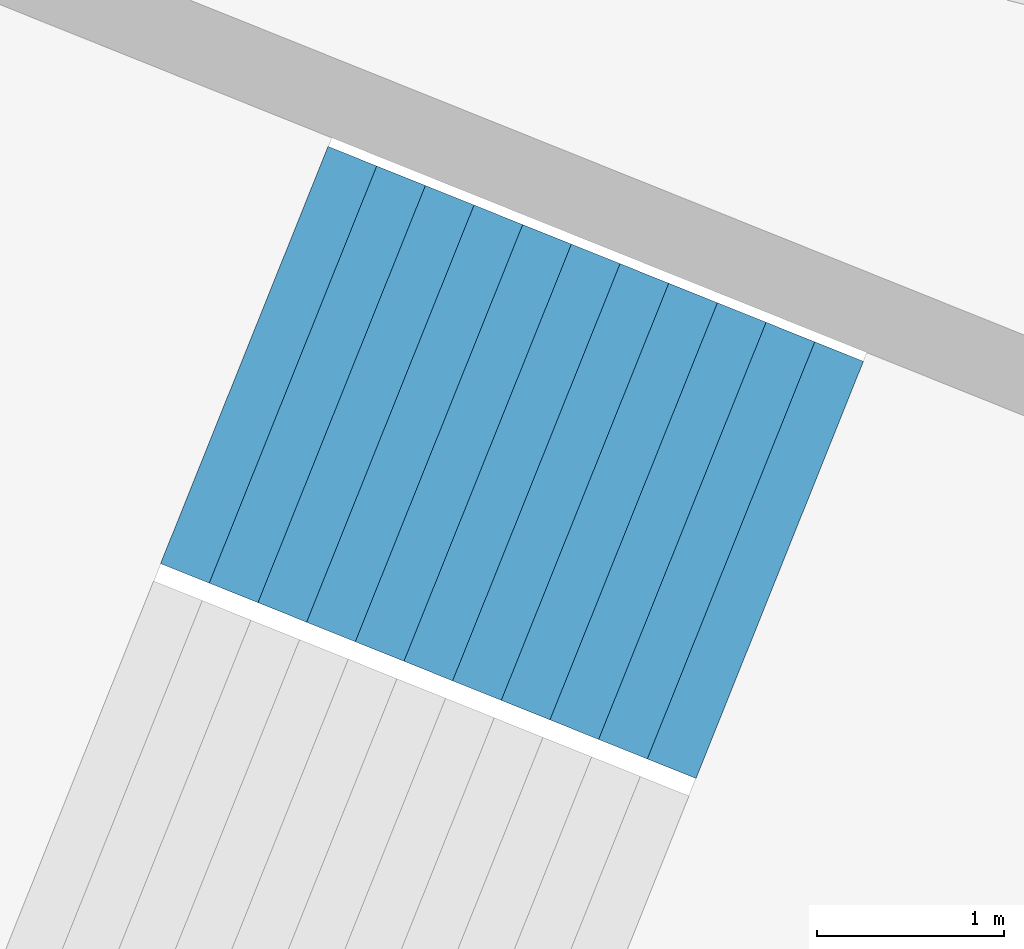
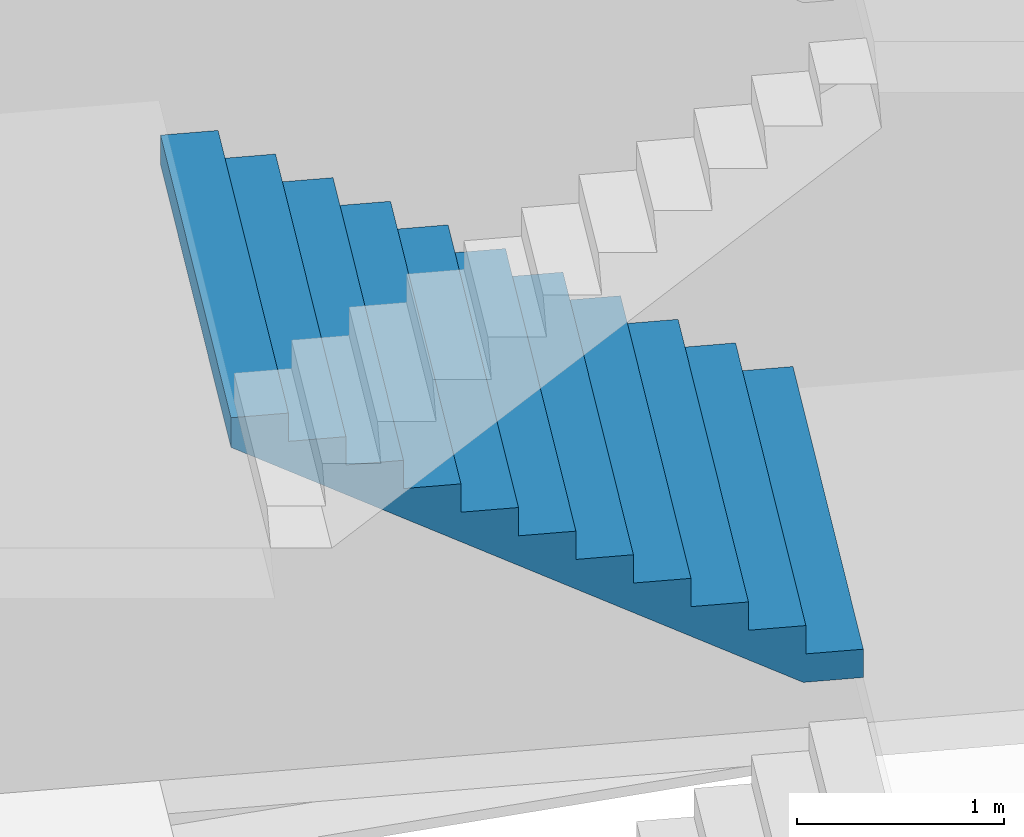
# One storey, part 52 of 74: 1 stair flight, 1 element without a shape of its own.
"""IFC4 building model written with IfcOpenShell, lengths in metres."""

import ifcopenshell
import ifcopenshell.guid

model = None  # the IFC model being written
_history = None  # IfcOwnerHistory: only IFC2X3 demands one
_inside = {}  # id of a spatial element -> (the spatial element, [elements in it])
_under = {}  # id of a project, library or spatial element -> (it, [spatial elements below it])
_declared = {}  # id of a project -> (the project, [libraries it declares])
_typed = {}  # id of a type object -> (the type object, [elements of that type])
_made_of = {}  # id of a material, layer set ... -> (it, [elements and type objects made of it])


def new_model(schema):
    """Start an empty IFC model of exactly this schema.

    Asked for "IFC4X3", IfcOpenShell would pick the latest addendum, in which some entities
    have other attributes; the version numbers below select the first issue.
    IFC2X3 requires an IfcOwnerHistory on every rooted entity: one is made here for all.
    """
    global model, _history
    if schema == "IFC4X3":
        model = ifcopenshell.file(schema_version=(4, 3, 0, 0))
    else:
        model = ifcopenshell.file(schema=schema)
    _inside.clear()
    _under.clear()
    _declared.clear()
    _typed.clear()
    _made_of.clear()
    _history = None
    if model.schema == "IFC2X3":
        org = make("IfcOrganization", Name="unknown")
        user = make(
            "IfcPersonAndOrganization",
            ThePerson=make("IfcPerson", FamilyName="unknown"),
            TheOrganization=org,
        )
        app = make(
            "IfcApplication",
            ApplicationDeveloper=org,
            Version="unknown",
            ApplicationFullName="unknown",
            ApplicationIdentifier="unknown",
        )
        _history = make(
            "IfcOwnerHistory",
            OwningUser=user,
            OwningApplication=app,
            ChangeAction="ADDED",
            CreationDate=0,
        )
    return model


def make(cls, **values):
    """One entity of the class cls with the attributes given. An attribute that is None is left unset."""
    return model.create_entity(
        cls, **{name: value for name, value in values.items() if value is not None}
    )


def rooted(cls, **values):
    """An entity with a GlobalId (a new one), such as an element, a storey or a relation."""
    return make(cls, GlobalId=ifcopenshell.guid.new(), OwnerHistory=_history, **values)


def si_unit(unit_type, name, prefix=None):
    """IfcSIUnit, for example si_unit("LENGTHUNIT", "METRE", prefix="MILLI")."""
    return make("IfcSIUnit", UnitType=unit_type, Prefix=prefix, Name=name)


def assignment(units):
    """IfcUnitAssignment: the units of a project."""
    return None if units is None else make("IfcUnitAssignment", Units=units)


def point(xyz):
    """IfcCartesianPoint."""
    return None if xyz is None else make("IfcCartesianPoint", Coordinates=xyz)


def direction(xyz):
    """IfcDirection."""
    return None if xyz is None else make("IfcDirection", DirectionRatios=xyz)


def frame(location, z_axis=None, x_axis=None):
    """IfcAxis2Placement3D, a coordinate frame: its origin and axes. An axis left out is left unset."""
    return make(
        "IfcAxis2Placement3D",
        Location=point(location),
        Axis=direction(z_axis),
        RefDirection=direction(x_axis),
    )


def origin():
    """The frame at (0, 0, 0) with its axes left unset."""
    return frame((0.0, 0.0, 0.0))


def place(relative_to, where):
    """IfcLocalPlacement: puts the frame where relative to a parent placement (None: the world)."""
    return make(
        "IfcLocalPlacement", PlacementRelTo=relative_to, RelativePlacement=where
    )


def context(
    kind, dimensions, precision=None, world=None, true_north=None, identifier=None
):
    """IfcGeometricRepresentationContext, for example the 3D "Model" context."""
    return make(
        "IfcGeometricRepresentationContext",
        ContextIdentifier=identifier,
        ContextType=kind,
        CoordinateSpaceDimension=dimensions,
        Precision=precision,
        WorldCoordinateSystem=world,
        TrueNorth=true_north,
    )


def subcontext(parent, identifier, kind, view, scale=None):
    """IfcGeometricRepresentationSubContext, for example "Body" below "Model"."""
    return make(
        "IfcGeometricRepresentationSubContext",
        ContextIdentifier=identifier,
        ContextType=kind,
        ParentContext=parent,
        TargetScale=scale,
        TargetView=view,
    )


def project(units=None, contexts=None):
    """IfcProject with its units and contexts."""
    return rooted(
        "IfcProject",
        Name="project",
        RepresentationContexts=contexts,
        UnitsInContext=assignment(units),
    )


def spatial(cls, under=None, at=None, **own):
    """A site, building, storey or space (cls), placed at a placement, below another one or the project."""
    s = rooted(cls, ObjectPlacement=at, **own)
    if under is not None:
        _under.setdefault(under.id(), (under, []))[1].append(s)
    return s


def point_list(points):
    """IfcCartesianPointList2D or 3D."""
    cls = (
        "IfcCartesianPointList2D" if len(points[0]) == 2 else "IfcCartesianPointList3D"
    )
    return make(cls, CoordList=points)


def triangles(points, corners, closed=None, point_numbers=None):
    """IfcTriangulatedFaceSet: each triangle names its three corners, points numbered from 1."""
    return make(
        "IfcTriangulatedFaceSet",
        Coordinates=point_list(points),
        Closed=closed,
        CoordIndex=corners,
        PnIndex=point_numbers,
    )


def shape(context_of_items, identifier, shape_type, items):
    """IfcShapeRepresentation: the items that make up one representation, for example the "Body"."""
    return make(
        "IfcShapeRepresentation",
        ContextOfItems=context_of_items,
        RepresentationIdentifier=identifier,
        RepresentationType=shape_type,
        Items=items,
    )


def material(Name=None, Category=None):
    """IfcMaterial."""
    return make("IfcMaterial", Name=Name, Category=Category)


def made_of(thing, what):
    """Note that an element or type object is made of a material, layer set ...; save() writes the relation."""
    if what is not None:
        _made_of.setdefault(what.id(), (what, []))[1].append(thing)
    return thing


def type_object(cls, material=None, **own):
    """A type object (cls), such as IfcWallType, which elements share."""
    return made_of(rooted(cls, **own), material)


def element(
    cls,
    number,
    at=None,
    inside=None,
    cuts=None,
    type_object=None,
    material=None,
    context=None,
    identifier="Body",
    shape_type=None,
    held_by="IfcProductDefinitionShape",
    body=None,
    shapes=None,
    **own,
):
    """One element of the class cls, such as IfcWall. Its Tag is "e" and its number.

    at: its placement. inside: the storey or other place that contains it. cuts: it is an
    opening in that element (IfcRelVoidsElement). A single representation is given by context,
    identifier, shape_type and body (its items); several are given by shapes. held_by: the class
    of the entity that holds the representations. save() writes the other relations.
    """
    e = rooted(cls, Tag="e%d" % number, ObjectPlacement=at, **own)
    if body is not None:
        shapes = [shape(context, identifier, shape_type, body)]
    if shapes is not None:
        e.Representation = make(held_by, Representations=shapes)
    if inside is not None:
        _inside.setdefault(inside.id(), (inside, []))[1].append(e)
    if cuts is not None:
        rooted(
            "IfcRelVoidsElement", RelatingBuildingElement=cuts, RelatedOpeningElement=e
        )
    if type_object is not None:
        _typed.setdefault(type_object.id(), (type_object, []))[1].append(e)
    return made_of(e, material)


def aggregate(whole, parts):
    """IfcRelAggregates: a whole, such as a stair, and the parts it consists of."""
    return rooted("IfcRelAggregates", RelatingObject=whole, RelatedObjects=parts)


def save(model, path):
    """Write the relations noted so far, then the file.

    IfcRelAggregates (storeys below a building ...), IfcRelContainedInSpatialStructure (elements
    in a storey), IfcRelDefinesByType, IfcRelAssociatesMaterial and IfcRelDeclares: one each for
    every whole, place, type object, material and project.
    """
    for whole, parts in _under.values():
        aggregate(whole, parts)
    for where, things in _inside.values():
        rooted(
            "IfcRelContainedInSpatialStructure",
            RelatedElements=things,
            RelatingStructure=where,
        )
    for kind, things in _typed.values():
        rooted("IfcRelDefinesByType", RelatedObjects=things, RelatingType=kind)
    for what, things in _made_of.values():
        rooted("IfcRelAssociatesMaterial", RelatedObjects=things, RelatingMaterial=what)
    for by, libraries in _declared.values():
        rooted("IfcRelDeclares", RelatingContext=by, RelatedDefinitions=libraries)
    model.write(path)


model = new_model("IFC4")

# Units and contexts
model_context = context("Model", 3, precision=1e-05, world=origin(), true_north=direction((0.0, 1.0)))
body_context = subcontext(model_context, "Body", "Model", "MODEL_VIEW")
ifc_project = project(units=[si_unit("LENGTHUNIT", "METRE"), si_unit("AREAUNIT", "SQUARE_METRE"), si_unit("VOLUMEUNIT", "CUBIC_METRE"), si_unit("PLANEANGLEUNIT", "RADIAN"), si_unit("MASSUNIT", "GRAM", prefix="KILO")], contexts=[model_context])

# Site, building, storey
site_placement = place(None, origin())
site = spatial("IfcSite", under=ifc_project, at=site_placement, CompositionType="ELEMENT")
building_placement = place(site_placement, origin())
building = spatial("IfcBuilding", under=site, at=building_placement, Name="Lantaw Convention Tower", CompositionType="ELEMENT")
storey_placement = place(building_placement, frame((0.0, 0.0, 6.5)))
storey = spatial("IfcBuildingStorey", under=building, at=storey_placement, Name="L01", CompositionType="ELEMENT", Elevation=6.5)

# Stair, stair flight
ifc_material = material(Name="Concrete C35/45", Category="concrete")
stair_type = type_object("IfcStairType", Name="Exit stair 2400 riser 166.67 in 4 flights", PredefinedType="HALF_TURN_STAIR", material=ifc_material)
stair_placement = place(storey_placement, origin())
stair = element("IfcStair", 1, at=stair_placement, inside=storey, type_object=stair_type, Name="Podium exit stair P12 L01", PredefinedType="HALF_TURN_STAIR")
stair_flight_type = type_object("IfcStairFlightType", Name="Stair flight 2400 riser 166.67", PredefinedType="STRAIGHT", material=ifc_material)
stair_flight_placement = place(storey_placement, frame((32.8759765625, -11.850830078125, 2.0), z_axis=(0.0, 0.0, 1.0), x_axis=(-0.928015818512, 0.372540790506, 0.0)))
stair_flight = element("IfcStairFlight", 2, at=stair_flight_placement, type_object=stair_flight_type, Name="P12 flight 2", NumberOfRisers=12, NumberOfTreads=11, PredefinedType="STRAIGHT", RiserHeight=0.166666667, TreadLength=0.28, context=body_context, shape_type="Tessellation", body=[
    triangles([(0.0, 1.199951171875, 0.0), (0.0, 1.199951171875, 0.166666667), (0.28, 1.199951171875, 0.0), (0.28, 1.199951171875, 0.166666667), (0.28, 1.199951171875, 0.333333334), (0.29307345806906726, 1.199951171875, 0.0), (0.29307345806906726, 1.199951171875, 0.333333334), (0.56, 1.199951171875, 0.15888484670522965), (0.56, 1.199951171875, 0.333333334), (0.56, 1.199951171875, 0.500000001), (0.8400000000000001, 1.199951171875, 0.3255515137052296), (0.8400000000000001, 1.199951171875, 0.500000001), (0.8400000000000001, 1.199951171875, 0.666666668), (1.12, 1.199951171875, 0.4922181807052296), (1.12, 1.199951171875, 0.666666668), (1.12, 1.199951171875, 0.833333335), (1.4000000000000001, 1.199951171875, 0.6588848477052296), (1.4000000000000001, 1.199951171875, 0.833333335), (1.4000000000000001, 1.199951171875, 1.000000002), (1.6800000000000002, 1.199951171875, 0.8255515147052296), (1.6800000000000002, 1.199951171875, 1.000000002), (1.6800000000000002, 1.199951171875, 1.166666669), (1.9600000000000002, 1.199951171875, 0.9922181817052296), (1.9600000000000002, 1.199951171875, 1.166666669), (1.9600000000000002, 1.199951171875, 1.333333336), (2.24, 1.199951171875, 1.1588848487052295), (2.24, 1.199951171875, 1.333333336), (2.24, 1.199951171875, 1.5000000029999998), (2.5200000000000005, 1.199951171875, 1.3255515157052296), (2.5200000000000005, 1.199951171875, 1.5000000029999998), (2.5200000000000005, 1.199951171875, 1.66666667), (2.8000000000000003, 1.199951171875, 1.4922181827052294), (2.8000000000000003, 1.199951171875, 1.66666667), (2.8000000000000003, 1.199951171875, 1.833333337), (3.08, 1.199951171875, 1.6588848497052293), (3.08, 1.199951171875, 1.833333337), (0.0, -1.199951171875, 0.0), (0.0, -1.199951171875, 0.166666667), (0.28, -1.199951171875, 0.0), (0.28, -1.199951171875, 0.166666667), (0.28, -1.199951171875, 0.333333334), (0.29307345806906726, -1.199951171875, 0.0), (0.29307345806906726, -1.199951171875, 0.333333334), (0.56, -1.199951171875, 0.15888484670522965), (0.56, -1.199951171875, 0.333333334), (0.56, -1.199951171875, 0.500000001), (0.8400000000000001, -1.199951171875, 0.3255515137052296), (0.8400000000000001, -1.199951171875, 0.500000001), (0.8400000000000001, -1.199951171875, 0.666666668), (1.12, -1.199951171875, 0.4922181807052296), (1.12, -1.199951171875, 0.666666668), (1.12, -1.199951171875, 0.833333335), (1.4000000000000001, -1.199951171875, 0.6588848477052296), (1.4000000000000001, -1.199951171875, 0.833333335), (1.4000000000000001, -1.199951171875, 1.000000002), (1.6800000000000002, -1.199951171875, 0.8255515147052296), (1.6800000000000002, -1.199951171875, 1.000000002), (1.6800000000000002, -1.199951171875, 1.166666669), (1.9600000000000002, -1.199951171875, 0.9922181817052296), (1.9600000000000002, -1.199951171875, 1.166666669), (1.9600000000000002, -1.199951171875, 1.333333336), (2.24, -1.199951171875, 1.1588848487052295), (2.24, -1.199951171875, 1.333333336), (2.24, -1.199951171875, 1.5000000029999998), (2.5200000000000005, -1.199951171875, 1.3255515157052296), (2.5200000000000005, -1.199951171875, 1.5000000029999998), (2.5200000000000005, -1.199951171875, 1.66666667), (2.8000000000000003, -1.199951171875, 1.4922181827052294), (2.8000000000000003, -1.199951171875, 1.66666667), (2.8000000000000003, -1.199951171875, 1.833333337), (3.08, -1.199951171875, 1.6588848497052293), (3.08, -1.199951171875, 1.833333337), (0.0, 0.239990234375, 0.166666667), (0.0, 0.239990234375, 0.0), (0.0, 0.1199951171875, 0.166666667), (0.0, 0.1199951171875, 0.0), (0.0, 0.0, 0.166666667), (0.0, 0.0, 0.0), (0.0, -0.1199951171875, 0.166666667), (0.0, -0.1199951171875, 0.0), (0.0, -0.239990234375, 0.166666667), (0.0, -0.239990234375, 0.0), (0.28, 0.239990234375, 0.333333334), (0.28, 0.239990234375, 0.166666667), (0.28, 0.1199951171875, 0.333333334), (0.28, 0.1199951171875, 0.166666667), (0.28, 0.0, 0.333333334), (0.28, 0.0, 0.166666667), (0.28, -0.1199951171875, 0.333333334), (0.28, -0.1199951171875, 0.166666667), (0.28, -0.239990234375, 0.333333334), (0.28, -0.239990234375, 0.166666667), (0.56, 0.239990234375, 0.500000001), (0.56, 0.239990234375, 0.333333334), (0.56, 0.1199951171875, 0.500000001), (0.56, 0.1199951171875, 0.333333334), (0.56, 0.0, 0.500000001), (0.56, 0.0, 0.333333334), (0.56, -0.1199951171875, 0.500000001), (0.56, -0.1199951171875, 0.333333334), (0.56, -0.239990234375, 0.500000001), (0.56, -0.239990234375, 0.333333334), (0.8400000000000001, 0.239990234375, 0.666666668), (0.8400000000000001, 0.239990234375, 0.500000001), (0.8400000000000001, 0.1199951171875, 0.666666668), (0.8400000000000001, 0.1199951171875, 0.500000001), (0.8400000000000001, 0.0, 0.666666668), (0.8400000000000001, 0.0, 0.500000001), (0.8400000000000001, -0.1199951171875, 0.666666668), (0.8400000000000001, -0.1199951171875, 0.500000001), (0.8400000000000001, -0.239990234375, 0.666666668), (0.8400000000000001, -0.239990234375, 0.500000001), (1.12, 0.239990234375, 0.833333335), (1.12, 0.239990234375, 0.666666668), (1.12, 0.1199951171875, 0.833333335), (1.12, 0.1199951171875, 0.666666668), (1.12, 0.0, 0.833333335), (1.12, 0.0, 0.666666668), (1.12, -0.1199951171875, 0.833333335), (1.12, -0.1199951171875, 0.666666668), (1.12, -0.239990234375, 0.833333335), (1.12, -0.239990234375, 0.666666668), (1.4000000000000001, 0.239990234375, 1.000000002), (1.4000000000000001, 0.239990234375, 0.833333335), (1.4000000000000001, 0.1199951171875, 1.000000002), (1.4000000000000001, 0.1199951171875, 0.833333335), (1.4000000000000001, 0.0, 1.000000002), (1.4000000000000001, 0.0, 0.833333335), (1.4000000000000001, -0.1199951171875, 1.000000002), (1.4000000000000001, -0.1199951171875, 0.833333335), (1.4000000000000001, -0.239990234375, 1.000000002), (1.4000000000000001, -0.239990234375, 0.833333335), (1.6800000000000002, 0.239990234375, 1.166666669), (1.6800000000000002, 0.239990234375, 1.000000002), (1.6800000000000002, 0.1199951171875, 1.166666669), (1.6800000000000002, 0.1199951171875, 1.000000002), (1.6800000000000002, 0.0, 1.166666669), (1.6800000000000002, 0.0, 1.000000002), (1.6800000000000002, -0.1199951171875, 1.166666669), (1.6800000000000002, -0.1199951171875, 1.000000002), (1.6800000000000002, -0.239990234375, 1.166666669), (1.6800000000000002, -0.239990234375, 1.000000002), (1.9600000000000002, 0.239990234375, 1.333333336), (1.9600000000000002, 0.239990234375, 1.166666669), (1.9600000000000002, 0.1199951171875, 1.333333336), (1.9600000000000002, 0.1199951171875, 1.166666669), (1.9600000000000002, 0.0, 1.333333336), (1.9600000000000002, 0.0, 1.166666669), (1.9600000000000002, -0.1199951171875, 1.333333336), (1.9600000000000002, -0.1199951171875, 1.166666669), (1.9600000000000002, -0.239990234375, 1.333333336), (1.9600000000000002, -0.239990234375, 1.166666669), (2.24, 0.239990234375, 1.5000000029999998), (2.24, 0.239990234375, 1.333333336), (2.24, 0.1199951171875, 1.5000000029999998), (2.24, 0.1199951171875, 1.333333336), (2.24, 0.0, 1.5000000029999998), (2.24, 0.0, 1.333333336), (2.24, -0.1199951171875, 1.5000000029999998), (2.24, -0.1199951171875, 1.333333336), (2.24, -0.239990234375, 1.5000000029999998), (2.24, -0.239990234375, 1.333333336), (2.5200000000000005, 0.239990234375, 1.66666667), (2.5200000000000005, 0.239990234375, 1.5000000029999998), (2.5200000000000005, 0.1199951171875, 1.66666667), (2.5200000000000005, 0.1199951171875, 1.5000000029999998), (2.5200000000000005, 0.0, 1.66666667), (2.5200000000000005, 0.0, 1.5000000029999998), (2.5200000000000005, -0.1199951171875, 1.66666667), (2.5200000000000005, -0.1199951171875, 1.5000000029999998), (2.5200000000000005, -0.239990234375, 1.66666667), (2.5200000000000005, -0.239990234375, 1.5000000029999998), (2.8000000000000003, 0.239990234375, 1.833333337), (2.8000000000000003, 0.239990234375, 1.66666667), (2.8000000000000003, 0.1199951171875, 1.833333337), (2.8000000000000003, 0.1199951171875, 1.66666667), (2.8000000000000003, 0.0, 1.833333337), (2.8000000000000003, 0.0, 1.66666667), (2.8000000000000003, -0.1199951171875, 1.833333337), (2.8000000000000003, -0.1199951171875, 1.66666667), (2.8000000000000003, -0.239990234375, 1.833333337), (2.8000000000000003, -0.239990234375, 1.66666667), (0.29307345806906726, 0.239990234375, 0.333333334), (0.29307345806906726, 0.1199951171875, 0.333333334), (0.29307345806906726, 0.0, 0.333333334), (0.29307345806906726, -0.1199951171875, 0.333333334), (0.29307345806906726, -0.239990234375, 0.333333334), (3.08, 0.239990234375, 1.833333337), (3.08, 0.1199951171875, 1.833333337), (3.08, 0.0, 1.833333337), (3.08, -0.1199951171875, 1.833333337), (3.08, -0.239990234375, 1.833333337), (3.08, 0.239990234375, 1.6588848497052293), (3.08, 0.1199951171875, 1.6588848497052293), (3.08, 0.0, 1.6588848497052293), (3.08, -0.1199951171875, 1.6588848497052293), (3.08, -0.239990234375, 1.6588848497052293), (2.8000000000000003, 0.239990234375, 1.4922181827052294), (2.8000000000000003, 0.1199951171875, 1.4922181827052294), (2.8000000000000003, 0.0, 1.4922181827052294), (2.8000000000000003, -0.1199951171875, 1.4922181827052294), (2.8000000000000003, -0.239990234375, 1.4922181827052294), (2.5200000000000005, 0.239990234375, 1.3255515157052296), (2.5200000000000005, 0.1199951171875, 1.3255515157052296), (2.5200000000000005, 0.0, 1.3255515157052296), (2.5200000000000005, -0.1199951171875, 1.3255515157052296), (2.5200000000000005, -0.239990234375, 1.3255515157052296), (2.24, 0.239990234375, 1.1588848487052295), (2.24, 0.1199951171875, 1.1588848487052295), (2.24, 0.0, 1.1588848487052295), (2.24, -0.1199951171875, 1.1588848487052295), (2.24, -0.239990234375, 1.1588848487052295), (1.9600000000000002, 0.239990234375, 0.9922181817052296), (1.9600000000000002, 0.1199951171875, 0.9922181817052296), (1.9600000000000002, 0.0, 0.9922181817052296), (1.9600000000000002, -0.1199951171875, 0.9922181817052296), (1.9600000000000002, -0.239990234375, 0.9922181817052296), (1.6800000000000002, 0.239990234375, 0.8255515147052296), (1.6800000000000002, 0.1199951171875, 0.8255515147052296), (1.6800000000000002, 0.0, 0.8255515147052296), (1.6800000000000002, -0.1199951171875, 0.8255515147052296), (1.6800000000000002, -0.239990234375, 0.8255515147052296), (1.4000000000000001, 0.239990234375, 0.6588848477052296), (1.4000000000000001, 0.1199951171875, 0.6588848477052296), (1.4000000000000001, 0.0, 0.6588848477052296), (1.4000000000000001, -0.1199951171875, 0.6588848477052296), (1.4000000000000001, -0.239990234375, 0.6588848477052296), (1.12, 0.239990234375, 0.4922181807052296), (1.12, 0.1199951171875, 0.4922181807052296), (1.12, 0.0, 0.4922181807052296), (1.12, -0.1199951171875, 0.4922181807052296), (1.12, -0.239990234375, 0.4922181807052296), (0.8400000000000001, 0.239990234375, 0.3255515137052296), (0.8400000000000001, 0.1199951171875, 0.3255515137052296), (0.8400000000000001, 0.0, 0.3255515137052296), (0.8400000000000001, -0.1199951171875, 0.3255515137052296), (0.8400000000000001, -0.239990234375, 0.3255515137052296), (0.56, 0.239990234375, 0.15888484670522965), (0.56, 0.1199951171875, 0.15888484670522965), (0.56, 0.0, 0.15888484670522965), (0.56, -0.1199951171875, 0.15888484670522965), (0.56, -0.239990234375, 0.15888484670522965), (0.29307345806906726, 0.239990234375, 0.0), (0.29307345806906726, 0.1199951171875, 0.0), (0.29307345806906726, 0.0, 0.0), (0.29307345806906726, -0.1199951171875, 0.0), (0.29307345806906726, -0.239990234375, 0.0), (0.28, 0.239990234375, 0.0), (0.28, 0.1199951171875, 0.0), (0.28, 0.0, 0.0), (0.28, -0.1199951171875, 0.0), (0.28, -0.239990234375, 0.0)], [[1, 4, 3], [1, 2, 4], [3, 4, 6], [4, 7, 6], [4, 5, 7], [6, 9, 8], [6, 7, 9], [8, 9, 11], [9, 12, 11], [9, 10, 12], [11, 12, 14], [12, 15, 14], [12, 13, 15], [14, 15, 17], [15, 18, 17], [15, 16, 18], [17, 18, 20], [18, 21, 20], [18, 19, 21], [20, 21, 23], [21, 24, 23], [21, 22, 24], [23, 24, 26], [24, 27, 26], [24, 25, 27], [26, 27, 29], [27, 30, 29], [27, 28, 30], [29, 30, 32], [30, 33, 32], [30, 31, 33], [32, 33, 35], [33, 36, 35], [33, 34, 36], [37, 39, 40], [37, 40, 38], [39, 42, 40], [40, 42, 43], [40, 43, 41], [42, 44, 45], [42, 45, 43], [44, 47, 45], [45, 47, 48], [45, 48, 46], [47, 50, 48], [48, 50, 51], [48, 51, 49], [50, 53, 51], [51, 53, 54], [51, 54, 52], [53, 56, 54], [54, 56, 57], [54, 57, 55], [56, 59, 57], [57, 59, 60], [57, 60, 58], [59, 62, 60], [60, 62, 63], [60, 63, 61], [62, 65, 63], [63, 65, 66], [63, 66, 64], [65, 68, 66], [66, 68, 69], [66, 69, 67], [68, 71, 69], [69, 71, 72], [69, 72, 70], [1, 73, 2], [1, 74, 73], [74, 75, 73], [74, 76, 75], [76, 77, 75], [76, 78, 77], [78, 79, 77], [78, 80, 79], [80, 81, 79], [80, 82, 81], [82, 38, 81], [82, 37, 38], [4, 83, 5], [4, 84, 83], [84, 85, 83], [84, 86, 85], [86, 87, 85], [86, 88, 87], [88, 89, 87], [88, 90, 89], [90, 91, 89], [90, 92, 91], [92, 41, 91], [92, 40, 41], [9, 93, 10], [9, 94, 93], [94, 95, 93], [94, 96, 95], [96, 97, 95], [96, 98, 97], [98, 99, 97], [98, 100, 99], [100, 101, 99], [100, 102, 101], [102, 46, 101], [102, 45, 46], [12, 103, 13], [12, 104, 103], [104, 105, 103], [104, 106, 105], [106, 107, 105], [106, 108, 107], [108, 109, 107], [108, 110, 109], [110, 111, 109], [110, 112, 111], [112, 49, 111], [112, 48, 49], [15, 113, 16], [15, 114, 113], [114, 115, 113], [114, 116, 115], [116, 117, 115], [116, 118, 117], [118, 119, 117], [118, 120, 119], [120, 121, 119], [120, 122, 121], [122, 52, 121], [122, 51, 52], [18, 123, 19], [18, 124, 123], [124, 125, 123], [124, 126, 125], [126, 127, 125], [126, 128, 127], [128, 129, 127], [128, 130, 129], [130, 131, 129], [130, 132, 131], [132, 55, 131], [132, 54, 55], [21, 133, 22], [21, 134, 133], [134, 135, 133], [134, 136, 135], [136, 137, 135], [136, 138, 137], [138, 139, 137], [138, 140, 139], [140, 141, 139], [140, 142, 141], [142, 58, 141], [142, 57, 58], [24, 143, 25], [24, 144, 143], [144, 145, 143], [144, 146, 145], [146, 147, 145], [146, 148, 147], [148, 149, 147], [148, 150, 149], [150, 151, 149], [150, 152, 151], [152, 61, 151], [152, 60, 61], [27, 153, 28], [27, 154, 153], [154, 155, 153], [154, 156, 155], [156, 157, 155], [156, 158, 157], [158, 159, 157], [158, 160, 159], [160, 161, 159], [160, 162, 161], [162, 64, 161], [162, 63, 64], [30, 163, 31], [30, 164, 163], [164, 165, 163], [164, 166, 165], [166, 167, 165], [166, 168, 167], [168, 169, 167], [168, 170, 169], [170, 171, 169], [170, 172, 171], [172, 67, 171], [172, 66, 67], [33, 173, 34], [33, 174, 173], [174, 175, 173], [174, 176, 175], [176, 177, 175], [176, 178, 177], [178, 179, 177], [178, 180, 179], [180, 181, 179], [180, 182, 181], [182, 70, 181], [182, 69, 70], [2, 84, 4], [2, 73, 84], [73, 86, 84], [73, 75, 86], [75, 88, 86], [75, 77, 88], [77, 90, 88], [77, 79, 90], [79, 92, 90], [79, 81, 92], [81, 40, 92], [81, 38, 40], [5, 183, 7], [5, 83, 183], [83, 184, 183], [83, 85, 184], [85, 185, 184], [85, 87, 185], [87, 186, 185], [87, 89, 186], [89, 187, 186], [89, 91, 187], [91, 43, 187], [91, 41, 43], [7, 94, 9], [7, 183, 94], [183, 96, 94], [183, 184, 96], [184, 98, 96], [184, 185, 98], [185, 100, 98], [185, 186, 100], [186, 102, 100], [186, 187, 102], [187, 45, 102], [187, 43, 45], [10, 104, 12], [10, 93, 104], [93, 106, 104], [93, 95, 106], [95, 108, 106], [95, 97, 108], [97, 110, 108], [97, 99, 110], [99, 112, 110], [99, 101, 112], [101, 48, 112], [101, 46, 48], [13, 114, 15], [13, 103, 114], [103, 116, 114], [103, 105, 116], [105, 118, 116], [105, 107, 118], [107, 120, 118], [107, 109, 120], [109, 122, 120], [109, 111, 122], [111, 51, 122], [111, 49, 51], [16, 124, 18], [16, 113, 124], [113, 126, 124], [113, 115, 126], [115, 128, 126], [115, 117, 128], [117, 130, 128], [117, 119, 130], [119, 132, 130], [119, 121, 132], [121, 54, 132], [121, 52, 54], [19, 134, 21], [19, 123, 134], [123, 136, 134], [123, 125, 136], [125, 138, 136], [125, 127, 138], [127, 140, 138], [127, 129, 140], [129, 142, 140], [129, 131, 142], [131, 57, 142], [131, 55, 57], [22, 144, 24], [22, 133, 144], [133, 146, 144], [133, 135, 146], [135, 148, 146], [135, 137, 148], [137, 150, 148], [137, 139, 150], [139, 152, 150], [139, 141, 152], [141, 60, 152], [141, 58, 60], [25, 154, 27], [25, 143, 154], [143, 156, 154], [143, 145, 156], [145, 158, 156], [145, 147, 158], [147, 160, 158], [147, 149, 160], [149, 162, 160], [149, 151, 162], [151, 63, 162], [151, 61, 63], [28, 164, 30], [28, 153, 164], [153, 166, 164], [153, 155, 166], [155, 168, 166], [155, 157, 168], [157, 170, 168], [157, 159, 170], [159, 172, 170], [159, 161, 172], [161, 66, 172], [161, 64, 66], [31, 174, 33], [31, 163, 174], [163, 176, 174], [163, 165, 176], [165, 178, 176], [165, 167, 178], [167, 180, 178], [167, 169, 180], [169, 182, 180], [169, 171, 182], [171, 69, 182], [171, 67, 69], [34, 188, 36], [34, 173, 188], [173, 189, 188], [173, 175, 189], [175, 190, 189], [175, 177, 190], [177, 191, 190], [177, 179, 191], [179, 192, 191], [179, 181, 192], [181, 72, 192], [181, 70, 72], [36, 193, 35], [36, 188, 193], [188, 194, 193], [188, 189, 194], [189, 195, 194], [189, 190, 195], [190, 196, 195], [190, 191, 196], [191, 197, 196], [191, 192, 197], [192, 71, 197], [192, 72, 71], [35, 198, 32], [35, 193, 198], [193, 199, 198], [193, 194, 199], [194, 200, 199], [194, 195, 200], [195, 201, 200], [195, 196, 201], [196, 202, 201], [196, 197, 202], [197, 68, 202], [197, 71, 68], [32, 203, 29], [32, 198, 203], [198, 204, 203], [198, 199, 204], [199, 205, 204], [199, 200, 205], [200, 206, 205], [200, 201, 206], [201, 207, 206], [201, 202, 207], [202, 65, 207], [202, 68, 65], [29, 208, 26], [29, 203, 208], [203, 209, 208], [203, 204, 209], [204, 210, 209], [204, 205, 210], [205, 211, 210], [205, 206, 211], [206, 212, 211], [206, 207, 212], [207, 62, 212], [207, 65, 62], [26, 213, 23], [26, 208, 213], [208, 214, 213], [208, 209, 214], [209, 215, 214], [209, 210, 215], [210, 216, 215], [210, 211, 216], [211, 217, 216], [211, 212, 217], [212, 59, 217], [212, 62, 59], [23, 218, 20], [23, 213, 218], [213, 219, 218], [213, 214, 219], [214, 220, 219], [214, 215, 220], [215, 221, 220], [215, 216, 221], [216, 222, 221], [216, 217, 222], [217, 56, 222], [217, 59, 56], [20, 223, 17], [20, 218, 223], [218, 224, 223], [218, 219, 224], [219, 225, 224], [219, 220, 225], [220, 226, 225], [220, 221, 226], [221, 227, 226], [221, 222, 227], [222, 53, 227], [222, 56, 53], [17, 228, 14], [17, 223, 228], [223, 229, 228], [223, 224, 229], [224, 230, 229], [224, 225, 230], [225, 231, 230], [225, 226, 231], [226, 232, 231], [226, 227, 232], [227, 50, 232], [227, 53, 50], [14, 233, 11], [14, 228, 233], [228, 234, 233], [228, 229, 234], [229, 235, 234], [229, 230, 235], [230, 236, 235], [230, 231, 236], [231, 237, 236], [231, 232, 237], [232, 47, 237], [232, 50, 47], [11, 238, 8], [11, 233, 238], [233, 239, 238], [233, 234, 239], [234, 240, 239], [234, 235, 240], [235, 241, 240], [235, 236, 241], [236, 242, 241], [236, 237, 242], [237, 44, 242], [237, 47, 44], [8, 243, 6], [8, 238, 243], [238, 244, 243], [238, 239, 244], [239, 245, 244], [239, 240, 245], [240, 246, 245], [240, 241, 246], [241, 247, 246], [241, 242, 247], [242, 42, 247], [242, 44, 42], [6, 248, 3], [6, 243, 248], [243, 249, 248], [243, 244, 249], [244, 250, 249], [244, 245, 250], [245, 251, 250], [245, 246, 251], [246, 252, 251], [246, 247, 252], [247, 39, 252], [247, 42, 39], [3, 74, 1], [3, 248, 74], [248, 76, 74], [248, 249, 76], [249, 78, 76], [249, 250, 78], [250, 80, 78], [250, 251, 80], [251, 82, 80], [251, 252, 82], [252, 37, 82], [252, 39, 37]], closed=True),
])
aggregate(stair, [stair_flight])

save(model, "model.ifc")
